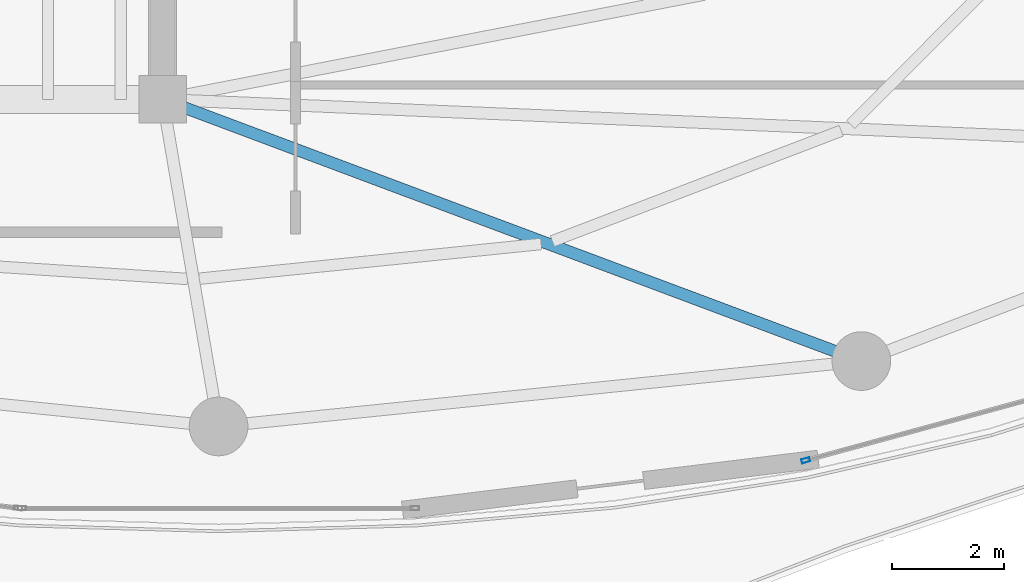
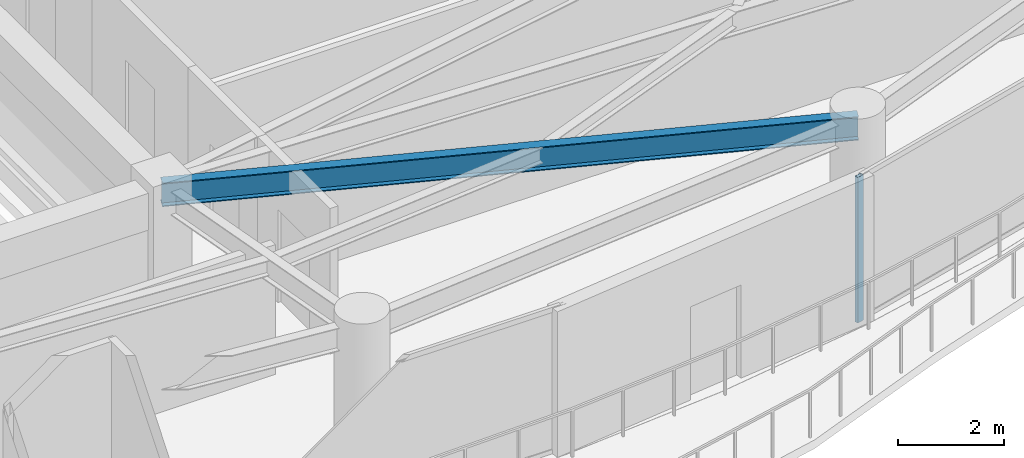
# One storey, part 11 of 31: 1 beam, 1 member, 1 element without a shape of its own.
"""IFC4 building model written with IfcOpenShell, lengths in metres."""

from ifc_helpers import new_model, si_unit, direction, frame, origin, origin_2d, place, context, subcontext, project, spatial, hollow_rectangle, i_section, extrude, material, layer, layer_set, material_profile, profile_set, type_object, element, aggregate, save


model = new_model("IFC4")

# Units and contexts
model_context = context("Model", 3, precision=1e-05, world=origin(), true_north=direction((0.0, 1.0)))
body_context = subcontext(model_context, "Body", "Model", "MODEL_VIEW")
ifc_project = project(units=[si_unit("LENGTHUNIT", "METRE"), si_unit("AREAUNIT", "SQUARE_METRE"), si_unit("VOLUMEUNIT", "CUBIC_METRE"), si_unit("PLANEANGLEUNIT", "RADIAN"), si_unit("MASSUNIT", "GRAM", prefix="KILO")], contexts=[model_context])

# Site, building, storey
site_placement = place(None, origin())
site = spatial("IfcSite", under=ifc_project, at=site_placement, CompositionType="ELEMENT")
building_placement = place(site_placement, origin())
building = spatial("IfcBuilding", under=site, at=building_placement, Name="Kazevale Care Tower and Concert Hall", CompositionType="ELEMENT")
storey_placement = place(building_placement, frame((0.0, 0.0, 220.800048828125)))
storey = spatial("IfcBuildingStorey", under=building, at=storey_placement, Name="L58", CompositionType="ELEMENT", Elevation=220.800048828125)

# Curtain wall, member
ifc_material_1 = material(Name="Aluminium 6063-T6 and Low-E Glass", Category="aluminium")
ifc_layer = layer(ifc_material_1, 0.179931640625)
ifc_layer_set = layer_set([ifc_layer], Name="Aluminium 6063-T6 and Low-E Glass")
curtain_wall_type = type_object("IfcCurtainWallType", Name="Sheltered Concave Balcony Curtain Wall CW-5", PredefinedType="NOTDEFINED", material=ifc_layer_set)
curtain_wall_placement = place(storey_placement, origin())
curtain_wall = element("IfcCurtainWall", 1, at=curtain_wall_placement, inside=storey, type_object=curtain_wall_type, Name="cw:L58:f04", PredefinedType="NOTDEFINED")
ifc_material_2 = material(Name="Aluminium 6063-T6", Category="aluminium")
ifc_material_profile_1 = material_profile(ifc_material_2, hollow_rectangle(XDim=0.074951171875, YDim=0.14990234375, WallThickness=0.00390625, at=origin_2d()), Name="ALU75x150x4")
ifc_profile_set_1 = profile_set([ifc_material_profile_1], Name="Aluminium 6063-T6")
member_type = type_object("IfcMemberType", Name="CW-5 Mullion ALU75x150x4", PredefinedType="MULLION", material=ifc_profile_set_1)
member_placement = place(storey_placement, frame((55.505126953125, 17.142822265625, 0.0), z_axis=(0.0, 0.0, 1.0), x_axis=(0.262848968947, -0.964836991167, 0.0)))
member = element("IfcMember", 2, at=member_placement, type_object=member_type, Name="CW-5 mullion 2", PredefinedType="MULLION", context=body_context, shape_type="SweptSolid", body=[
    extrude(hollow_rectangle(XDim=0.074951171875, YDim=0.14990234375, WallThickness=0.00390625, at=origin_2d()), origin(), (0.0, 0.0, 1.0), 3.35986328125),
])
aggregate(curtain_wall, [member])

# Beam
ifc_material_3 = material(Name="Steel ASTM A572 Gr 50", Category="steel")
ifc_material_profile_2 = material_profile(ifc_material_3, i_section(OverallWidth=0.2119140625, OverallDepth=0.5439453125, WebThickness=0.01318359375, FlangeThickness=0.021240234375, at=origin_2d()), Name="W530x123")
ifc_profile_set_2 = profile_set([ifc_material_profile_2], Name="Steel ASTM A572 Gr 50")
beam_type = type_object("IfcBeamType", Name="Radial Floor Girder W530x123", PredefinedType="BEAM", material=ifc_profile_set_2)
beam_placement = place(storey_placement, frame((44.0, 23.60009765625, 3.087890625), z_axis=(0.936509460339, -0.350642311615, 0.0), x_axis=(0.350642311615, 0.936509460339, 0.0)))
element("IfcBeam", 3, at=beam_placement, inside=storey, type_object=beam_type, Name="beam:L58:rad:14", PredefinedType="BEAM", context=body_context, shape_type="SweptSolid", body=[
    extrude(i_section(OverallWidth=0.2119140625, OverallDepth=0.5439453125, WebThickness=0.01318359375, FlangeThickness=0.021240234375, at=origin_2d()), origin(), (0.0, 0.0, 1.0), 13.347412109375),
])

save(model, "model.ifc")
